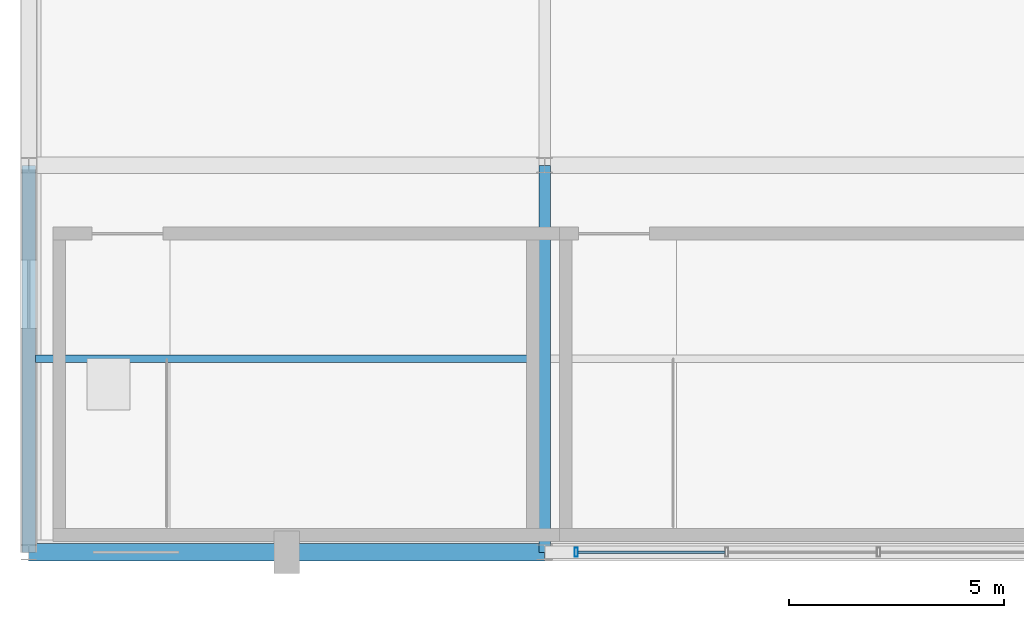
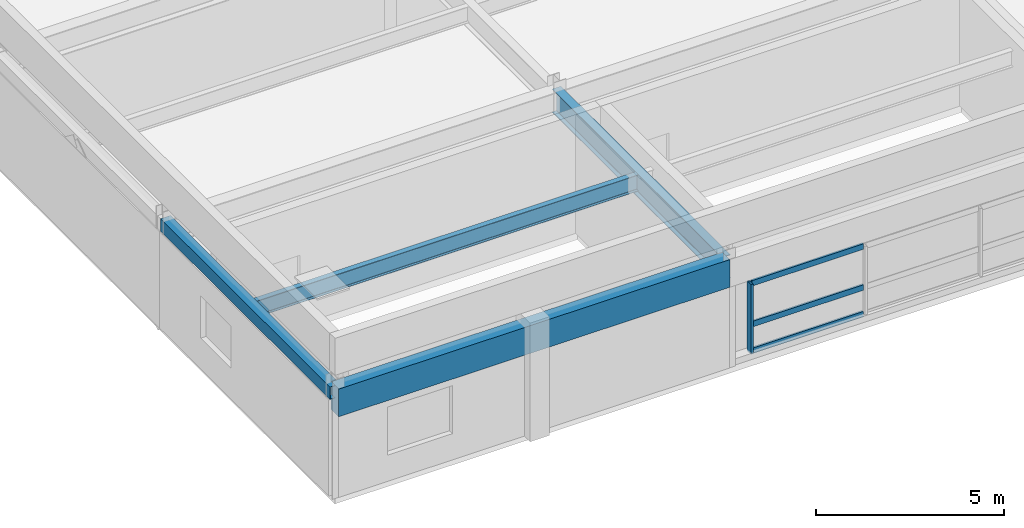
# One storey, part 19 of 108: 4 beams, 4 members, 1 element without a shape of its own.
"""IFC4 building model written with IfcOpenShell, lengths in metres."""

from ifc_helpers import new_model, si_unit, direction, frame, origin, origin_2d, place, context, subcontext, project, spatial, rectangle, hollow_rectangle, i_section, extrude, material, material_profile, profile_set, type_object, element, aggregate, save


model = new_model("IFC4")

# Units and contexts
model_context = context("Model", 3, precision=1e-05, world=origin(), true_north=direction((0.0, 1.0)))
body_context = subcontext(model_context, "Body", "Model", "MODEL_VIEW")
ifc_project = project(units=[si_unit("LENGTHUNIT", "METRE"), si_unit("AREAUNIT", "SQUARE_METRE"), si_unit("VOLUMEUNIT", "CUBIC_METRE"), si_unit("PLANEANGLEUNIT", "RADIAN"), si_unit("MASSUNIT", "GRAM", prefix="KILO")], contexts=[model_context])

# Site, building, storey
site_placement = place(None, origin())
site = spatial("IfcSite", under=ifc_project, at=site_placement, CompositionType="ELEMENT")
building_placement = place(site_placement, origin())
building = spatial("IfcBuilding", under=site, at=building_placement, Name="Kaldorvane Square Convention Centre", CompositionType="ELEMENT")
storey_placement = place(building_placement, frame((0.0, 0.0, 23.399993896484375)))
storey = spatial("IfcBuildingStorey", under=building, at=storey_placement, Name="L04", CompositionType="ELEMENT", Elevation=23.399993896484375)

# Beams
ifc_material_1 = material(Name="Steel ASTM A992 Gr. 50", Category="steel")
ifc_material_profile_1 = material_profile(ifc_material_1, i_section(OverallWidth=0.2666015625, OverallDepth=0.762298583984375, WebThickness=0.014404296875, FlangeThickness=0.0216064453125, FilletRadius=0.0164947509765625, at=origin_2d()), Name="W30X116")
ifc_profile_set_1 = profile_set([ifc_material_profile_1], Name="Steel ASTM A992 Gr. 50")
beam_type_1 = type_object("IfcBeamType", Name="BM-GR-W30X116", PredefinedType="BEAM", material=ifc_profile_set_1)
beam_1_placement = place(storey_placement, frame((12.0, 0.0, 3.144805908203125), z_axis=(0.0, 1.0, 0.0), x_axis=(-1.0, 0.0, 0.0)))
element("IfcBeam", 1, at=beam_1_placement, inside=storey, type_object=beam_type_1, Name="Transverse Girder (L04)", PredefinedType="BEAM", context=body_context, shape_type="SweptSolid", body=[
    extrude(i_section(OverallWidth=0.2666015625, OverallDepth=0.762298583984375, WebThickness=0.014404296875, FlangeThickness=0.0216064453125, FilletRadius=0.0164947509765625, at=origin_2d()), origin(), (0.0, 0.0, 1.0), 9.0),
])
ifc_material_profile_2 = material_profile(ifc_material_1, i_section(OverallWidth=0.1658935546875, OverallDepth=0.5290985107421875, WebThickness=0.00970458984375, FlangeThickness=0.0135955810546875, FilletRadius=0.0126953125, at=origin_2d()), Name="W21X50")
ifc_profile_set_2 = profile_set([ifc_material_profile_2], Name="Steel ASTM A992 Gr. 50")
beam_type_2 = type_object("IfcBeamType", Name="BM-JS-W21X50", PredefinedType="JOIST", material=ifc_profile_set_2)
beam_2_placement = place(storey_placement, frame((0.15240478515625, 4.5, 3.26141357421875), z_axis=(1.0, 0.0, 0.0), x_axis=(0.0, 1.0, 0.0)))
element("IfcBeam", 2, at=beam_2_placement, inside=storey, type_object=beam_type_2, Name="Secondary Floor Joist (L04)", PredefinedType="JOIST", context=body_context, shape_type="SweptSolid", body=[
    extrude(i_section(OverallWidth=0.1658935546875, OverallDepth=0.5290985107421875, WebThickness=0.00970458984375, FlangeThickness=0.0135955810546875, FilletRadius=0.0126953125, at=origin_2d()), origin(), (0.0, 0.0, 1.0), 11.71429443359375),
])
ifc_material_2 = material(Name="Steel ASTM A500 Gr. C", Category="steel")
ifc_material_profile_3 = material_profile(ifc_material_2, hollow_rectangle(XDim=0.3047943115234375, YDim=0.406402587890625, WallThickness=0.0117950439453125, at=origin_2d()), Name="HSS16X12X1/2")
ifc_profile_set_3 = profile_set([ifc_material_profile_3], Name="Steel ASTM A500 Gr. C")
beam_type_3 = type_object("IfcBeamType", Name="BM-SP-HSS16", PredefinedType="SPANDREL", material=ifc_profile_set_3)
beam_3_placement = place(storey_placement, frame((0.0, 0.0, 3.3227996826171875), z_axis=(0.0, 1.0, 0.0), x_axis=(-1.0, 0.0, 0.0)))
element("IfcBeam", 3, at=beam_3_placement, inside=storey, type_object=beam_type_3, Name="End Spandrel (L04)", PredefinedType="SPANDREL", context=body_context, shape_type="SweptSolid", body=[
    extrude(hollow_rectangle(XDim=0.3047943115234375, YDim=0.406402587890625, WallThickness=0.0117950439453125, at=origin_2d()), origin(), (0.0, 0.0, 1.0), 9.0),
])
ifc_material_3 = material(Name="Concrete f'c = 42 MPa (Normalweight)", Category="concrete")
ifc_material_profile_4 = material_profile(ifc_material_3, rectangle(XDim=0.399993896484375, YDim=0.899993896484375, at=origin_2d()), Name="RCSP900X400")
ifc_profile_set_4 = profile_set([ifc_material_profile_4], Name="Concrete f'c = 42 MPa (Normalweight)")
beam_type_4 = type_object("IfcBeamType", Name="BM-SP-RC900", PredefinedType="SPANDREL", material=ifc_profile_set_4)
beam_4_placement = place(storey_placement, frame((0.0, 0.0, 3.0760040283203125), z_axis=(1.0, 0.0, 0.0), x_axis=(0.0, 1.0, 0.0)))
element("IfcBeam", 4, at=beam_4_placement, inside=storey, type_object=beam_type_4, Name="Perimeter Spandrel (L04)", PredefinedType="SPANDREL", context=body_context, shape_type="SweptSolid", body=[
    extrude(rectangle(XDim=0.399993896484375, YDim=0.899993896484375, at=origin_2d()), origin(), (0.0, 0.0, 1.0), 12.0),
])

# Curtain wall, members
ifc_material_4 = material(Name="Anodized Aluminum and Low-E Insulated Glazing", Category="aluminium")
curtain_wall_type = type_object("IfcCurtainWallType", Name="CW-UNI-P42-12", PredefinedType="USERDEFINED", material=ifc_material_4)
curtain_wall_placement = place(storey_placement, origin())
curtain_wall = element("IfcCurtainWall", 5, at=curtain_wall_placement, inside=storey, type_object=curtain_wall_type, Name="Curtain Wall CW-05 (L04)", ObjectType="UNITISED GLAZING", PredefinedType="USERDEFINED")
ifc_material_profile_5 = material_profile(ifc_material_4, hollow_rectangle(XDim=0.0749969482421875, YDim=0.220001220703125, WallThickness=0.003997802734375, at=origin_2d()), Name="CWM-220X75")
ifc_profile_set_5 = profile_set([ifc_material_profile_5], Name="Anodized Aluminum and Low-E Insulated Glazing")
member_type_1 = type_object("IfcMemberType", Name="CW-MUL-220", PredefinedType="MULLION", material=ifc_profile_set_5)
member_1_placement = place(storey_placement, frame((12.737503051757812, 0.0, 0.1500091552734375), z_axis=(0.0, 0.0, 1.0), x_axis=(1.0, 0.0, 0.0)))
member_1 = element("IfcMember", 6, at=member_1_placement, type_object=member_type_1, Name="CW-05 mullion 1", PredefinedType="MULLION", context=body_context, shape_type="SweptSolid", body=[
    extrude(hollow_rectangle(XDim=0.0749969482421875, YDim=0.220001220703125, WallThickness=0.003997802734375, at=origin_2d()), origin(), (0.0, 0.0, 1.0), 2.2599945068359375),
])
ifc_material_profile_6 = material_profile(ifc_material_4, hollow_rectangle(XDim=0.06500244140625, YDim=0.17999267578125, WallThickness=0.0034942626953125, at=origin_2d()), Name="CWT-180X65")
ifc_profile_set_6 = profile_set([ifc_material_profile_6], Name="Anodized Aluminum and Low-E Insulated Glazing")
member_type_2 = type_object("IfcMemberType", Name="CW-TRN-180", PredefinedType="USERDEFINED", material=ifc_profile_set_6)
member_2_placement = place(storey_placement, frame((12.774993896484375, 0.0, 0.1825103759765625), z_axis=(1.0, 0.0, 0.0), x_axis=(0.0, 1.0, 0.0)))
member_2 = element("IfcMember", 7, at=member_2_placement, type_object=member_type_2, Name="CW-05 transom 1.1", ObjectType="TRANSOM", PredefinedType="USERDEFINED", context=body_context, shape_type="SweptSolid", body=[
    extrude(hollow_rectangle(XDim=0.06500244140625, YDim=0.17999267578125, WallThickness=0.0034942626953125, at=origin_2d()), origin(), (0.0, 0.0, 1.0), 3.42083740234375),
])
member_3_placement = place(storey_placement, frame((12.774993896484375, 0.0, 1.0500030517578125), z_axis=(1.0, 0.0, 0.0), x_axis=(0.0, 1.0, 0.0)))
member_3 = element("IfcMember", 8, at=member_3_placement, type_object=member_type_2, Name="CW-05 transom 1.2", ObjectType="TRANSOM", PredefinedType="USERDEFINED", context=body_context, shape_type="SweptSolid", body=[
    extrude(hollow_rectangle(XDim=0.06500244140625, YDim=0.17999267578125, WallThickness=0.0034942626953125, at=origin_2d()), origin(), (0.0, 0.0, 1.0), 3.42083740234375),
])
member_4_placement = place(storey_placement, frame((12.774993896484375, 0.0, 2.37750244140625), z_axis=(1.0, 0.0, 0.0), x_axis=(0.0, 1.0, 0.0)))
member_4 = element("IfcMember", 9, at=member_4_placement, type_object=member_type_2, Name="CW-05 transom 1.3", ObjectType="TRANSOM", PredefinedType="USERDEFINED", context=body_context, shape_type="SweptSolid", body=[
    extrude(hollow_rectangle(XDim=0.06500244140625, YDim=0.17999267578125, WallThickness=0.0034942626953125, at=origin_2d()), origin(), (0.0, 0.0, 1.0), 3.42083740234375),
])
aggregate(curtain_wall, [member_1, member_2, member_3, member_4])

save(model, "model.ifc")
